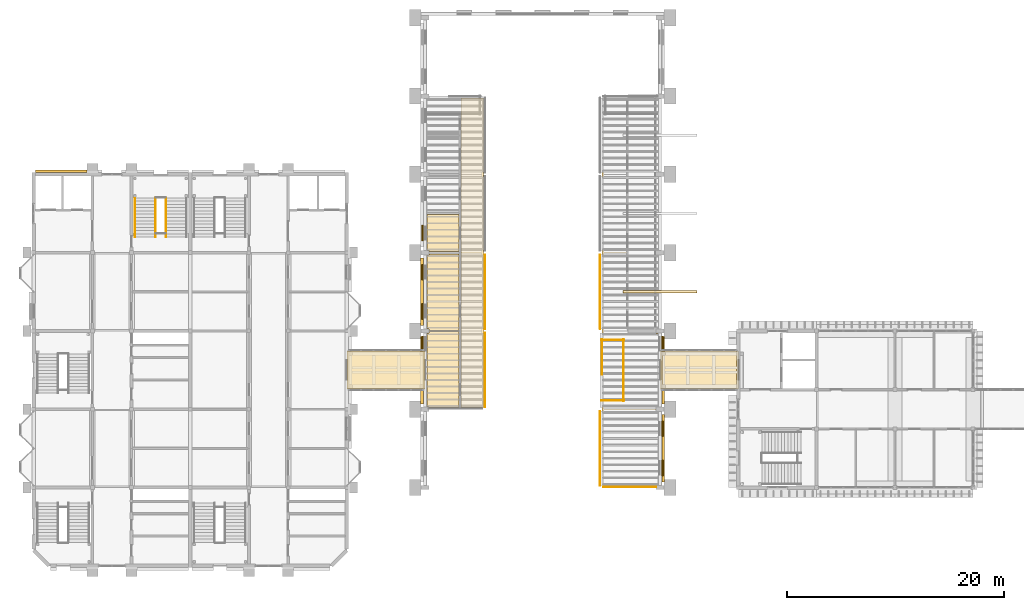
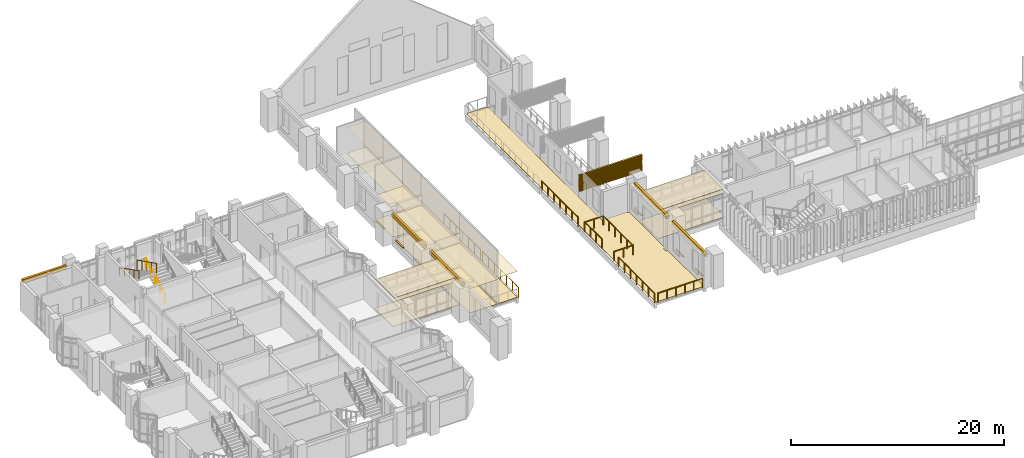
# One storey, part 60 of 69: 43 coverings, 12 railings.
"""IFC4 building model written with IfcOpenShell, lengths in metres."""

from ifc_helpers import new_model, si_unit, direction, frame, origin, origin_2d, place, context, subcontext, project, spatial, polyline, rectangle, circle, outline, extrude, material, layer, layer_set, type_object, element, save


model = new_model("IFC4")

# Units and contexts
model_context = context("Model", 3, precision=1e-05, world=origin(), true_north=direction((0.0, 1.0)))
body_context = subcontext(model_context, "Body", "Model", "MODEL_VIEW")
ifc_project = project(units=[si_unit("LENGTHUNIT", "METRE"), si_unit("AREAUNIT", "SQUARE_METRE"), si_unit("VOLUMEUNIT", "CUBIC_METRE"), si_unit("PLANEANGLEUNIT", "RADIAN"), si_unit("MASSUNIT", "GRAM", prefix="KILO")], contexts=[model_context])

# Site, building, storey
site_placement = place(None, origin())
site = spatial("IfcSite", under=ifc_project, at=site_placement, CompositionType="ELEMENT")
building_placement = place(site_placement, origin())
building = spatial("IfcBuilding", under=site, at=building_placement, Name="Mazhai Court Health Centre", CompositionType="ELEMENT")
storey_placement = place(building_placement, frame((0.0, 0.0, 6.300048828125)))
storey = spatial("IfcBuildingStorey", under=building, at=storey_placement, Name="L01", CompositionType="ELEMENT", Elevation=6.300048828125)

# Coverings
ifc_material_1 = material(Name="Clay brick masonry", Category="masonry")
ifc_layer_1 = layer(ifc_material_1, 0.25)
ifc_layer_set_1 = layer_set([ifc_layer_1], Name="BRICK BAND 250")
covering_type_1 = type_object("IfcCoveringType", Name="BRICK BAND 250", PredefinedType="MOLDING", material=ifc_layer_set_1)
covering_1_placement = place(storey_placement, frame((0.0, 0.0, 2.949951171875)))
element("IfcCovering", 1, at=covering_1_placement, inside=storey, type_object=covering_type_1, Name="EB-V2-L01-Ep0-0", PredefinedType="MOLDING", context=body_context, shape_type="SweptSolid", body=[
    extrude(outline(polyline([(6.364990234375, 42.364990234375), (11.10009765625, 42.364990234375), (11.10009765625, 42.614990234375), (6.364990234375, 42.614990234375), (6.364990234375, 42.364990234375)])), origin(), (0.0, 0.0, 1.0), 0.39990234375),
])
covering_2_placement = place(storey_placement, frame((0.0, 0.0, 3.050048828125)))
element("IfcCovering", 2, at=covering_2_placement, inside=storey, type_object=covering_type_1, Name="EB-V1-L01-W1-0", PredefinedType="MOLDING", context=body_context, shape_type="SweptSolid", body=[
    extrude(outline(polyline([(42.034912109375, 21.10009765625), (42.034912109375, 27.300048828125), (41.784912109375, 27.300048828125), (41.784912109375, 21.10009765625), (42.034912109375, 21.10009765625)])), origin(), (0.0, 0.0, 1.0), 0.39990234375),
])
covering_3_placement = place(storey_placement, frame((0.0, 0.0, 3.050048828125)))
element("IfcCovering", 3, at=covering_3_placement, inside=storey, type_object=covering_type_1, Name="EB-V1-L01-W2-0", PredefinedType="MOLDING", context=body_context, shape_type="SweptSolid", body=[
    extrude(outline(polyline([(42.034912109375, 28.300048828125), (42.034912109375, 34.5), (41.784912109375, 34.5), (41.784912109375, 28.300048828125), (42.034912109375, 28.300048828125)])), origin(), (0.0, 0.0, 1.0), 0.39990234375),
])
covering_4_placement = place(storey_placement, frame((0.0, 0.0, 3.050048828125)))
element("IfcCovering", 4, at=covering_4_placement, inside=storey, type_object=covering_type_1, Name="EB-V1-L01-E0-0", PredefinedType="MOLDING", context=body_context, shape_type="SweptSolid", body=[
    extrude(outline(polyline([(63.965087890625, 20.10009765625), (63.965087890625, 13.89990234375), (64.215087890625, 13.89990234375), (64.215087890625, 20.10009765625), (63.965087890625, 20.10009765625)])), origin(), (0.0, 0.0, 1.0), 0.39990234375),
])
covering_5_placement = place(storey_placement, frame((0.0, 0.0, 3.050048828125)))
element("IfcCovering", 5, at=covering_5_placement, inside=storey, type_object=covering_type_1, Name="EB-V1-L01-E1-0", PredefinedType="MOLDING", context=body_context, shape_type="SweptSolid", body=[
    extrude(outline(polyline([(63.965087890625, 27.300048828125), (63.965087890625, 21.10009765625), (64.215087890625, 21.10009765625), (64.215087890625, 27.300048828125), (63.965087890625, 27.300048828125)])), origin(), (0.0, 0.0, 1.0), 0.39990234375),
])
ifc_material_2 = material(Name="Clay brick masonry", Category="masonry")
ifc_layer_2 = layer(ifc_material_2, 0.14990234375)
ifc_layer_set_2 = layer_set([ifc_layer_2], Name="BRICK SILL COURSE 150")
covering_type_2 = type_object("IfcCoveringType", Name="BRICK SILL COURSE 150", PredefinedType="MOLDING", material=ifc_layer_set_2)
covering_6_placement = place(storey_placement, frame((0.0, 0.0, 0.47998046875)))
element("IfcCovering", 6, at=covering_6_placement, inside=storey, type_object=covering_type_2, Name="ES-WN-V1-L01-W1x", PredefinedType="MOLDING", context=body_context, shape_type="SweptSolid", body=[
    extrude(outline(polyline([(42.034912109375, 25.89990234375), (42.034912109375, 27.300048828125), (41.885009765625, 27.300048828125), (41.885009765625, 25.89990234375), (42.034912109375, 25.89990234375)])), origin(), (0.0, 0.0, 1.0), 0.119873046875),
])
covering_7_placement = place(storey_placement, frame((0.0, 0.0, 0.47998046875)))
element("IfcCovering", 7, at=covering_7_placement, inside=storey, type_object=covering_type_2, Name="ES-WN-V1-L01-W2a", PredefinedType="MOLDING", context=body_context, shape_type="SweptSolid", body=[
    extrude(outline(polyline([(42.034912109375, 28.89990234375), (42.034912109375, 30.300048828125), (41.885009765625, 30.300048828125), (41.885009765625, 28.89990234375), (42.034912109375, 28.89990234375)])), origin(), (0.0, 0.0, 1.0), 0.119873046875),
])
covering_8_placement = place(storey_placement, frame((0.0, 0.0, 0.47998046875)))
element("IfcCovering", 8, at=covering_8_placement, inside=storey, type_object=covering_type_2, Name="ES-WN-V1-L01-W2b", PredefinedType="MOLDING", context=body_context, shape_type="SweptSolid", body=[
    extrude(outline(polyline([(42.034912109375, 32.5), (42.034912109375, 33.89990234375), (41.885009765625, 33.89990234375), (41.885009765625, 32.5), (42.034912109375, 32.5)])), origin(), (0.0, 0.0, 1.0), 0.119873046875),
])
covering_9_placement = place(storey_placement, frame((0.0, 0.0, 0.47998046875)))
element("IfcCovering", 9, at=covering_9_placement, inside=storey, type_object=covering_type_2, Name="ES-WN-V1-L01-W3a", PredefinedType="MOLDING", context=body_context, shape_type="SweptSolid", body=[
    extrude(outline(polyline([(42.034912109375, 36.10009765625), (42.034912109375, 37.5), (41.885009765625, 37.5), (41.885009765625, 36.10009765625), (42.034912109375, 36.10009765625)])), origin(), (0.0, 0.0, 1.0), 0.119873046875),
])
covering_10_placement = place(storey_placement, frame((0.0, 0.0, 0.47998046875)))
element("IfcCovering", 10, at=covering_10_placement, inside=storey, type_object=covering_type_2, Name="ES-WN-V1-L01-E0a", PredefinedType="MOLDING", context=body_context, shape_type="SweptSolid", body=[
    extrude(outline(polyline([(63.965087890625, 15.89990234375), (63.965087890625, 14.5), (64.114990234375, 14.5), (64.114990234375, 15.89990234375), (63.965087890625, 15.89990234375)])), origin(), (0.0, 0.0, 1.0), 0.119873046875),
])
covering_11_placement = place(storey_placement, frame((0.0, 0.0, 0.47998046875)))
element("IfcCovering", 11, at=covering_11_placement, inside=storey, type_object=covering_type_2, Name="ES-WN-V1-L01-E0b", PredefinedType="MOLDING", context=body_context, shape_type="SweptSolid", body=[
    extrude(outline(polyline([(63.965087890625, 19.5), (63.965087890625, 18.10009765625), (64.114990234375, 18.10009765625), (64.114990234375, 19.5), (63.965087890625, 19.5)])), origin(), (0.0, 0.0, 1.0), 0.119873046875),
])
covering_12_placement = place(storey_placement, frame((0.0, 0.0, 0.47998046875)))
element("IfcCovering", 12, at=covering_12_placement, inside=storey, type_object=covering_type_2, Name="ES-WN-V1-L01-E1x", PredefinedType="MOLDING", context=body_context, shape_type="SweptSolid", body=[
    extrude(outline(polyline([(63.965087890625, 27.300048828125), (63.965087890625, 25.89990234375), (64.114990234375, 25.89990234375), (64.114990234375, 27.300048828125), (63.965087890625, 27.300048828125)])), origin(), (0.0, 0.0, 1.0), 0.119873046875),
])
ifc_material_3 = material(Name="Gypsum plasterboard ceiling")
ifc_layer_3 = layer(ifc_material_3, 0.02001953125)
ifc_layer_set_3 = layer_set([ifc_layer_3], Name="CEILING GYPSUM BOARD 20")
covering_type_3 = type_object("IfcCoveringType", Name="CEILING GYPSUM BOARD 20", PredefinedType="CEILING", material=ifc_layer_set_3)
covering_13_placement = place(storey_placement, frame((0.0, 0.0, 2.800048828125)))
element("IfcCovering", 13, at=covering_13_placement, inside=storey, type_object=covering_type_3, Name="ceil-V1-L01-W-patient-education-room-1", PredefinedType="CEILING", context=body_context, shape_type="SweptSolid", body=[
    extrude(outline(polyline([(42.56005859375, 27.737548828125), (42.56005859375, 27.60009765625), (42.364990234375, 27.60009765625), (42.364990234375, 20.800048828125), (42.56005859375, 20.800048828125), (42.56005859375, 20.764892578125), (45.324951171875, 20.764892578125), (45.324951171875, 27.737548828125), (42.56005859375, 27.737548828125)])), origin(), (0.0, 0.0, 1.0), 0.02001953125),
])
covering_14_placement = place(storey_placement, frame((0.0, 0.0, 2.800048828125)))
element("IfcCovering", 14, at=covering_14_placement, inside=storey, type_object=covering_type_3, Name="ceil-V1-L01-W-patient-education-room-2", PredefinedType="CEILING", context=body_context, shape_type="SweptSolid", body=[
    extrude(outline(polyline([(42.56005859375, 34.89990234375), (42.56005859375, 34.800048828125), (42.364990234375, 34.800048828125), (42.364990234375, 28.0), (42.56005859375, 28.0), (42.56005859375, 27.862548828125), (45.324951171875, 27.862548828125), (45.324951171875, 34.89990234375), (42.56005859375, 34.89990234375)])), origin(), (0.0, 0.0, 1.0), 0.02001953125),
])
covering_15_placement = place(storey_placement, frame((0.0, 0.0, 2.800048828125)))
element("IfcCovering", 15, at=covering_15_placement, inside=storey, type_object=covering_type_3, Name="ceil-V1-L01-W-counselling-room-1", PredefinedType="CEILING", context=body_context, shape_type="SweptSolid", body=[
    extrude(outline(polyline([(42.364990234375, 35.199951171875), (42.56005859375, 35.199951171875), (42.56005859375, 35.10009765625), (45.324951171875, 35.10009765625), (45.324951171875, 38.5), (42.364990234375, 38.5), (42.364990234375, 35.199951171875)])), origin(), (0.0, 0.0, 1.0), 0.02001953125),
])
ifc_material_4 = material(Name="Mineral fibre ceiling tile")
ifc_layer_4 = layer(ifc_material_4, 0.014892578125)
ifc_layer_set_4 = layer_set([ifc_layer_4], Name="CEILING MINERAL FIBRE TILE 15")
covering_type_4 = type_object("IfcCoveringType", Name="CEILING MINERAL FIBRE TILE 15", PredefinedType="CEILING", material=ifc_layer_set_4)
covering_16_placement = place(storey_placement, frame((0.0, 0.0, 3.0)))
element("IfcCovering", 16, at=covering_16_placement, inside=storey, type_object=covering_type_4, Name="ceil-V1-L01-walk", PredefinedType="CEILING", context=body_context, shape_type="SweptSolid", body=[
    extrude(outline(polyline([(45.47509765625, 49.235107421875), (45.47509765625, 20.764892578125), (47.550048828125, 20.764892578125), (47.550048828125, 49.235107421875), (45.47509765625, 49.235107421875)])), origin(), (0.0, 0.0, 1.0), 0.014892578125),
])
covering_17_placement = place(storey_placement, frame((0.0, 0.0, 2.800048828125)))
element("IfcCovering", 17, at=covering_17_placement, inside=storey, type_object=covering_type_4, Name="ceil-BR-P2", PredefinedType="CEILING", context=body_context, shape_type="SweptSolid", body=[
    extrude(outline(polyline([(63.800048828125, 22.449951171875), (63.800048828125, 25.949951171875), (71.0, 25.949951171875), (71.0, 22.449951171875), (63.800048828125, 22.449951171875)])), origin(), (0.0, 0.0, 1.0), 0.014892578125),
])
covering_18_placement = place(storey_placement, frame((0.0, 0.0, 2.800048828125)))
element("IfcCovering", 18, at=covering_18_placement, inside=storey, type_object=covering_type_4, Name="ceil-BR-P1", PredefinedType="CEILING", context=body_context, shape_type="SweptSolid", body=[
    extrude(outline(polyline([(35.0, 22.449951171875), (35.0, 25.949951171875), (42.199951171875, 25.949951171875), (42.199951171875, 22.449951171875), (35.0, 22.449951171875)])), origin(), (0.0, 0.0, 1.0), 0.014892578125),
])
ifc_material_5 = material(Name="Granite flooring", Category="masonry")
ifc_layer_5 = layer(ifc_material_5, 0.030029296875)
ifc_layer_set_5 = layer_set([ifc_layer_5], Name="FLOOR FINISH GRANITE FLOORING 30")
covering_type_5 = type_object("IfcCoveringType", Name="FLOOR FINISH GRANITE FLOORING 30", PredefinedType="FLOORING", material=ifc_layer_set_5)
covering_19_placement = place(storey_placement, origin())
element("IfcCovering", 19, at=covering_19_placement, inside=storey, type_object=covering_type_5, Name="floor-V1-L01-walk", PredefinedType="FLOORING", context=body_context, shape_type="SweptSolid", body=[
    extrude(outline(polyline([(45.47509765625, 49.235107421875), (45.47509765625, 20.764892578125), (47.550048828125, 20.764892578125), (47.550048828125, 49.235107421875), (45.47509765625, 49.235107421875)])), origin(), (0.0, 0.0, 1.0), 0.030029296875),
])
ifc_material_6 = material(Name="Heavy duty vinyl flooring")
ifc_layer_6 = layer(ifc_material_6, 0.02001953125)
ifc_layer_set_6 = layer_set([ifc_layer_6], Name="FLOOR FINISH HEAVY DUTY VINYL FLOORING 20")
covering_type_6 = type_object("IfcCoveringType", Name="FLOOR FINISH HEAVY DUTY VINYL FLOORING 20", PredefinedType="FLOORING", material=ifc_layer_set_6)
covering_20_placement = place(storey_placement, origin())
element("IfcCovering", 20, at=covering_20_placement, inside=storey, type_object=covering_type_6, Name="floor-V1-L01-W-patient-education-room-1", PredefinedType="FLOORING", context=body_context, shape_type="SweptSolid", body=[
    extrude(outline(polyline([(42.56005859375, 27.737548828125), (42.56005859375, 27.60009765625), (42.364990234375, 27.60009765625), (42.364990234375, 20.800048828125), (42.56005859375, 20.800048828125), (42.56005859375, 20.764892578125), (45.324951171875, 20.764892578125), (45.324951171875, 27.737548828125), (42.56005859375, 27.737548828125)])), origin(), (0.0, 0.0, 1.0), 0.02001953125),
])
covering_21_placement = place(storey_placement, origin())
element("IfcCovering", 21, at=covering_21_placement, inside=storey, type_object=covering_type_6, Name="floor-V1-L01-W-patient-education-room-2", PredefinedType="FLOORING", context=body_context, shape_type="SweptSolid", body=[
    extrude(outline(polyline([(42.56005859375, 34.89990234375), (42.56005859375, 34.800048828125), (42.364990234375, 34.800048828125), (42.364990234375, 28.0), (42.56005859375, 28.0), (42.56005859375, 27.862548828125), (45.324951171875, 27.862548828125), (45.324951171875, 34.89990234375), (42.56005859375, 34.89990234375)])), origin(), (0.0, 0.0, 1.0), 0.02001953125),
])
ifc_material_7 = material(Name="Linoleum flooring")
ifc_layer_7 = layer(ifc_material_7, 0.02001953125)
ifc_layer_set_7 = layer_set([ifc_layer_7], Name="FLOOR FINISH LINOLEUM FLOORING 20")
covering_type_7 = type_object("IfcCoveringType", Name="FLOOR FINISH LINOLEUM FLOORING 20", PredefinedType="FLOORING", material=ifc_layer_set_7)
covering_22_placement = place(storey_placement, origin())
element("IfcCovering", 22, at=covering_22_placement, inside=storey, type_object=covering_type_7, Name="floor-V1-L01-W-counselling-room-1", PredefinedType="FLOORING", context=body_context, shape_type="SweptSolid", body=[
    extrude(outline(polyline([(42.364990234375, 35.199951171875), (42.56005859375, 35.199951171875), (42.56005859375, 35.10009765625), (45.324951171875, 35.10009765625), (45.324951171875, 38.5), (42.364990234375, 38.5), (42.364990234375, 35.199951171875)])), origin(), (0.0, 0.0, 1.0), 0.02001953125),
])
ifc_material_8 = material(Name="Terrazzo flooring")
ifc_layer_8 = layer(ifc_material_8, 0.0400390625)
ifc_layer_set_8 = layer_set([ifc_layer_8], Name="FLOOR FINISH TERRAZZO FLOORING 40")
covering_type_8 = type_object("IfcCoveringType", Name="FLOOR FINISH TERRAZZO FLOORING 40", PredefinedType="FLOORING", material=ifc_layer_set_8)
covering_23_placement = place(storey_placement, origin())
element("IfcCovering", 23, at=covering_23_placement, inside=storey, type_object=covering_type_8, Name="floor-BR-P2", PredefinedType="FLOORING", context=body_context, shape_type="SweptSolid", body=[
    extrude(outline(polyline([(63.800048828125, 22.449951171875), (63.800048828125, 25.949951171875), (71.0, 25.949951171875), (71.0, 22.449951171875), (63.800048828125, 22.449951171875)])), origin(), (0.0, 0.0, 1.0), 0.0400390625),
])
covering_24_placement = place(storey_placement, origin())
element("IfcCovering", 24, at=covering_24_placement, inside=storey, type_object=covering_type_8, Name="floor-BR-P1", PredefinedType="FLOORING", context=body_context, shape_type="SweptSolid", body=[
    extrude(outline(polyline([(35.0, 22.449951171875), (35.0, 25.949951171875), (42.199951171875, 25.949951171875), (42.199951171875, 22.449951171875), (35.0, 22.449951171875)])), origin(), (0.0, 0.0, 1.0), 0.0400390625),
])
ifc_material_9 = material(Name="Timber flooring", Category="wood")
ifc_layer_9 = layer(ifc_material_9, 0.02197265625)
ifc_layer_set_9 = layer_set([ifc_layer_9], Name="FLOOR FINISH TIMBER FLOORING 22")
covering_type_9 = type_object("IfcCoveringType", Name="FLOOR FINISH TIMBER FLOORING 22", PredefinedType="FLOORING", material=ifc_layer_set_9)
covering_25_placement = place(storey_placement, origin())
element("IfcCovering", 25, at=covering_25_placement, inside=storey, type_object=covering_type_9, Name="floor-V1-L01-quiet", PredefinedType="FLOORING", context=body_context, shape_type="SweptSolid", body=[
    extrude(outline(polyline([(63.43994140625, 13.56494140625), (63.43994140625, 13.60009765625), (63.635009765625, 13.60009765625), (63.635009765625, 20.39990234375), (63.43994140625, 20.39990234375), (63.43994140625, 20.800048828125), (63.635009765625, 20.800048828125), (63.635009765625, 27.60009765625), (63.43994140625, 27.60009765625), (63.43994140625, 27.75), (60.800048828125, 27.75), (60.781005859375, 27.75390625), (60.7646484375, 27.7646484375), (60.75390625, 27.781005859375), (60.750244140625, 27.795166015625), (60.75, 49.235107421875), (58.449951171875, 49.235107421875), (58.449951171875, 13.56494140625), (63.43994140625, 13.56494140625)])), origin(), (0.0, 0.0, 1.0), 0.02197265625),
])

# Railings
ifc_material_10 = material(Name="Teak timber", Category="wood")
railing_type_1 = type_object("IfcRailingType", Name="GUARD GALLERY 1100", PredefinedType="GUARDRAIL", material=ifc_material_10)
for number, where, name in (
    (26, (47.699951171875, 20.7900390625, 0.0), "GR-V1-L01-L01-W1-n0"),
    (27, (47.699951171875, 27.989990234375, 0.0), "GR-V1-L01-L01-W2-n0"),
):
    element("IfcRailing", number, at=place(storey_placement, frame(where)), inside=storey, type_object=railing_type_1, Name=name, PredefinedType="GUARDRAIL", context=body_context, shape_type="SweptSolid", body=[
        extrude(circle(Radius=0.02392578125, at=origin_2d()), frame((0.0, 0.0, 1.076171875), z_axis=(0.0, 1.0, 0.0), x_axis=(-1.0, 0.0, 0.0)), (0.0, 0.0, 1.0), 6.820068359375),
        extrude(circle(Radius=0.02099609375, at=origin_2d()), origin(), (0.0, 0.0, 1.0), 1.052001953125),
        extrude(circle(Radius=0.02099609375, at=origin_2d()), frame((0.0, 1.13671875, 0.0)), (0.0, 0.0, 1.0), 1.052001953125),
        extrude(circle(Radius=0.02099609375, at=origin_2d()), frame((0.0, 2.2734375, 0.0)), (0.0, 0.0, 1.0), 1.052001953125),
        extrude(circle(Radius=0.02099609375, at=origin_2d()), frame((0.0, 3.41015625, 0.0)), (0.0, 0.0, 1.0), 1.052001953125),
        extrude(circle(Radius=0.02099609375, at=origin_2d()), frame((0.0, 4.546630859375, 0.0)), (0.0, 0.0, 1.0), 1.052001953125),
        extrude(circle(Radius=0.02099609375, at=origin_2d()), frame((0.0, 5.683349609375, 0.0)), (0.0, 0.0, 1.0), 1.052001953125),
        extrude(circle(Radius=0.02099609375, at=origin_2d()), frame((0.0, 6.820068359375, 0.0)), (0.0, 0.0, 1.0), 1.052001953125),
    ])
railing_1_placement = place(storey_placement, frame((58.300048828125, 20.409912109375, 0.0)))
element("IfcRailing", 28, at=railing_1_placement, inside=storey, type_object=railing_type_1, Name="GR-V1-L01-L01-E0-n0", PredefinedType="GUARDRAIL", context=body_context, shape_type="SweptSolid", body=[
    extrude(circle(Radius=0.02392578125, at=origin_2d()), frame((0.0, 0.0, 1.076171875), z_axis=(0.0, -1.0, 0.0), x_axis=(1.0, 0.0, 0.0)), (0.0, 0.0, 1.0), 6.81982421875),
    extrude(circle(Radius=0.02099609375, at=origin_2d()), origin(), (0.0, 0.0, 1.0), 1.052001953125),
    extrude(circle(Radius=0.02099609375, at=origin_2d()), frame((0.0, -1.13671875, 0.0)), (0.0, 0.0, 1.0), 1.052001953125),
    extrude(circle(Radius=0.02099609375, at=origin_2d()), frame((0.0, -2.273193359375, 0.0)), (0.0, 0.0, 1.0), 1.052001953125),
    extrude(circle(Radius=0.02099609375, at=origin_2d()), frame((0.0, -3.409912109375, 0.0)), (0.0, 0.0, 1.0), 1.052001953125),
    extrude(circle(Radius=0.02099609375, at=origin_2d()), frame((0.0, -4.546630859375, 0.0)), (0.0, 0.0, 1.0), 1.052001953125),
    extrude(circle(Radius=0.02099609375, at=origin_2d()), frame((0.0, -5.68310546875, 0.0)), (0.0, 0.0, 1.0), 1.052001953125),
    extrude(circle(Radius=0.02099609375, at=origin_2d()), frame((0.0, -6.81982421875, 0.0)), (0.0, 0.0, 1.0), 1.052001953125),
])
railing_2_placement = place(storey_placement, frame((58.590087890625, 13.449951171875, 0.0)))
element("IfcRailing", 29, at=railing_2_placement, inside=storey, type_object=railing_type_1, Name="GR-V1-L01-L01-E0-e134-9", PredefinedType="GUARDRAIL", context=body_context, shape_type="SweptSolid", body=[
    extrude(circle(Radius=0.02392578125, at=origin_2d()), frame((0.0, 0.0, 1.076171875), z_axis=(1.0, 0.0, 0.0), x_axis=(0.0, 1.0, 0.0)), (0.0, 0.0, 1.0), 4.83984375),
    extrude(circle(Radius=0.02099609375, at=origin_2d()), origin(), (0.0, 0.0, 1.0), 1.052001953125),
    extrude(circle(Radius=0.02099609375, at=origin_2d()), frame((0.968017578125, 0.0, 0.0)), (0.0, 0.0, 1.0), 1.052001953125),
    extrude(circle(Radius=0.02099609375, at=origin_2d()), frame((1.93603515625, 0.0, 0.0)), (0.0, 0.0, 1.0), 1.052001953125),
    extrude(circle(Radius=0.02099609375, at=origin_2d()), frame((2.90380859375, 0.0, 0.0)), (0.0, 0.0, 1.0), 1.052001953125),
    extrude(circle(Radius=0.02099609375, at=origin_2d()), frame((3.871826171875, 0.0, 0.0)), (0.0, 0.0, 1.0), 1.052001953125),
    extrude(circle(Radius=0.02099609375, at=origin_2d()), frame((4.83984375, 0.0, 0.0)), (0.0, 0.0, 1.0), 1.052001953125),
])
railing_3_placement = place(storey_placement, frame((58.300048828125, 34.81005859375, 0.0)))
element("IfcRailing", 30, at=railing_3_placement, inside=storey, type_object=railing_type_1, Name="GR-V1-L01-L01-E2-n0", PredefinedType="GUARDRAIL", context=body_context, shape_type="SweptSolid", body=[
    extrude(circle(Radius=0.02392578125, at=origin_2d()), frame((0.0, 0.0, 1.076171875), z_axis=(0.0, -1.0, 0.0), x_axis=(1.0, 0.0, 0.0)), (0.0, 0.0, 1.0), 6.820068359375),
    extrude(circle(Radius=0.02099609375, at=origin_2d()), origin(), (0.0, 0.0, 1.0), 1.052001953125),
    extrude(circle(Radius=0.02099609375, at=origin_2d()), frame((0.0, -1.13671875, 0.0)), (0.0, 0.0, 1.0), 1.052001953125),
    extrude(circle(Radius=0.02099609375, at=origin_2d()), frame((0.0, -2.2734375, 0.0)), (0.0, 0.0, 1.0), 1.052001953125),
    extrude(circle(Radius=0.02099609375, at=origin_2d()), frame((0.0, -3.41015625, 0.0)), (0.0, 0.0, 1.0), 1.052001953125),
    extrude(circle(Radius=0.02099609375, at=origin_2d()), frame((0.0, -4.546630859375, 0.0)), (0.0, 0.0, 1.0), 1.052001953125),
    extrude(circle(Radius=0.02099609375, at=origin_2d()), frame((0.0, -5.683349609375, 0.0)), (0.0, 0.0, 1.0), 1.052001953125),
    extrude(circle(Radius=0.02099609375, at=origin_2d()), frame((0.0, -6.820068359375, 0.0)), (0.0, 0.0, 1.0), 1.052001953125),
])

# Coverings
ifc_material_11 = material(Name="Aluminium louvre", Category="aluminium")
ifc_layer_10 = layer(ifc_material_11, 0.0400390625)
ifc_layer_set_10 = layer_set([ifc_layer_10], Name="LOUVRE BLADE 200x40")
covering_type_10 = type_object("IfcCoveringType", Name="LOUVRE BLADE 200x40", PredefinedType="CLADDING", material=ifc_layer_set_10)
for number, where, z_axis, x_axis, name in (
    (31, (63.800048828125, 31.39990234375, 1.280029296875), (0.0, 0.0, 1.0), (0.0, 1.0, 0.0), "LV-V1-LG2-00"),
    (32, (63.800048828125, 31.39990234375, 1.39990234375), (0.0, 0.0, 1.0), (0.0, 1.0, 0.0), "LV-V1-LG2-01"),
    (33, (63.800048828125, 31.39990234375, 1.52001953125), (0.0, 0.0, 1.0), (0.0, 1.0, 0.0), "LV-V1-LG2-02"),
    (34, (63.800048828125, 31.39990234375, 1.639892578125), (0.0, 0.0, 1.0), (0.0, 1.0, 0.0), "LV-V1-LG2-03"),
    (35, (63.800048828125, 31.39990234375, 1.760009765625), (0.0, 0.0, 1.0), (0.0, 1.0, 0.0), "LV-V1-LG2-04"),
    (36, (63.800048828125, 31.39990234375, 1.8798828125), (0.0, 0.0, 1.0), (0.0, 1.0, 0.0), "LV-V1-LG2-05"),
    (37, (63.800048828125, 31.39990234375, 2.0), (0.0, 0.0, 1.0), (0.0, 1.0, 0.0), "LV-V1-LG2-06"),
    (38, (63.800048828125, 31.39990234375, 2.119873046875), (0.0, 0.0, 1.0), (0.0, 1.0, 0.0), "LV-V1-LG2-07"),
    (39, (63.800048828125, 31.39990234375, 2.239990234375), (0.0, 0.0, 1.0), (0.0, 1.0, 0.0), "LV-V1-LG2-08"),
    (40, (63.800048828125, 31.39990234375, 2.35986328125), (0.0, 0.0, 1.0), (0.0, 1.0, 0.0), "LV-V1-LG2-09"),
    (41, (63.800048828125, 31.39990234375, 2.47998046875), (0.0, 0.0, 1.0), (0.0, 1.0, 0.0), "LV-V1-LG2-10"),
    (42, (63.800048828125, 31.39990234375, 2.599853515625), (0.0, 0.0, 1.0), (0.0, 1.0, 0.0), "LV-V1-LG2-11"),
    (43, (63.800048828125, 31.39990234375, 2.719970703125), (0.0, 0.0, 1.0), (0.0, 1.0, 0.0), "LV-V1-LG2-12"),
    (44, (63.800048828125, 31.39990234375, 2.83984375), (0.0, 0.0, 1.0), (0.0, 1.0, 0.0), "LV-V1-LG2-13"),
    (45, (63.800048828125, 31.39990234375, 2.9599609375), (0.0, 0.0, 1.0), (0.0, 1.0, 0.0), "LV-V1-LG2-14"),
    (46, (63.800048828125, 31.39990234375, 3.079833984375), (0.0, 0.0, 1.0), (0.0, 1.0, 0.0), "LV-V1-LG2-15"),
):
    element("IfcCovering", number, at=place(storey_placement, frame(where, z_axis=z_axis, x_axis=x_axis)), inside=storey, type_object=covering_type_10, Name=name, PredefinedType="CLADDING", context=body_context, shape_type="SweptSolid", body=[
        extrude(rectangle(XDim=0.199951171875, YDim=6.800048828125, at=origin_2d()), origin(), (0.0, 0.0, 1.0), 0.0400390625),
    ])
ifc_material_12 = material(Name="Single-ply roof membrane")
ifc_layer_11 = layer(ifc_material_12, 0.014892578125)
ifc_layer_set_11 = layer_set([ifc_layer_11], Name="ROOFING SINGLE-PLY ROOF MEMBRANE 15")
covering_type_11 = type_object("IfcCoveringType", Name="ROOFING SINGLE-PLY ROOF MEMBRANE 15", PredefinedType="ROOFING", material=ifc_layer_set_11)
for number, where, z_axis, x_axis, name in (
    (47, (63.97509765625, 25.97998046875, 3.300048828125), (0.0, 0.0, 1.0), (0.0, -1.0, 0.0), "cover-BR-P2-roof"),
    (48, (42.02490234375, 22.419921875, 3.300048828125), (0.0, 0.0, 1.0), (0.0, 1.0, 0.0), "cover-BR-P1-roof"),
):
    element("IfcCovering", number, at=place(storey_placement, frame(where, z_axis=z_axis, x_axis=x_axis)), inside=storey, type_object=covering_type_11, Name=name, PredefinedType="ROOFING", context=body_context, shape_type="SweptSolid", body=[
        extrude(outline(polyline([(0.0, 0.0), (1.570068359375, 0.0), (1.570068359375, 0.19482421875), (1.989990234375, 0.19482421875), (1.989990234375, 0.0), (3.56005859375, 0.0), (3.56005859375, 6.875), (0.0, 6.875), (0.0, 0.0)])), origin(), (0.0, 0.0, -1.0), 0.014892578125),
    ])

# Railings
ifc_material_13 = material(Name="Steel IS 2062 E250", Category="steel")
railing_type_2 = type_object("IfcRailingType", Name="STAIR GUARD 1100", PredefinedType="GUARDRAIL", material=ifc_material_13)
railing_4_placement = place(storey_placement, frame((18.35498046875, 36.43505859375, 0.14990234375)))
element("IfcRailing", 49, at=railing_4_placement, inside=storey, type_object=railing_type_2, Name="L01 ST3 stair guard 1", PredefinedType="GUARDRAIL", context=body_context, shape_type="SweptSolid", body=[
    extrude(circle(Radius=0.02392578125, at=origin_2d()), frame((0.0, 0.0, 1.076171875), z_axis=(0.0, 0.894415058897, 0.447237858884), x_axis=(-1.0, 0.0, 0.0)), (0.0, 0.0, 1.0), 4.02490234375),
    extrude(circle(Radius=0.02099609375, at=origin_2d()), origin(), (0.0, 0.0, 1.0), 1.052001953125),
    extrude(circle(Radius=0.02099609375, at=origin_2d()), frame((0.0, 0.89990234375, 0.449951171875)), (0.0, 0.0, 1.0), 1.052001953125),
    extrude(circle(Radius=0.02099609375, at=origin_2d()), frame((0.0, 1.7998046875, 0.89990234375)), (0.0, 0.0, 1.0), 1.052001953125),
    extrude(circle(Radius=0.02099609375, at=origin_2d()), frame((0.0, 2.699951171875, 1.35009765625)), (0.0, 0.0, 1.0), 1.052001953125),
    extrude(circle(Radius=0.02099609375, at=origin_2d()), frame((0.0, 3.599853515625, 1.800048828125)), (0.0, 0.0, 1.0), 1.052001953125),
])
railing_5_placement = place(storey_placement, frame((17.405029296875, 40.034912109375, 2.099853515625)))
element("IfcRailing", 50, at=railing_5_placement, inside=storey, type_object=railing_type_2, Name="L01 ST3 stair guard 3", PredefinedType="GUARDRAIL", context=body_context, shape_type="SweptSolid", body=[
    extrude(circle(Radius=0.02392578125, at=origin_2d()), frame((0.0, 0.0, 1.076171875), z_axis=(0.0, -0.894415058897, 0.447237858884), x_axis=(1.0, 0.0, 0.0)), (0.0, 0.0, 1.0), 4.02490234375),
    extrude(circle(Radius=0.02099609375, at=origin_2d()), origin(), (0.0, 0.0, 1.0), 1.052001953125),
    extrude(circle(Radius=0.02099609375, at=origin_2d()), frame((0.0, -0.89990234375, 0.449951171875)), (0.0, 0.0, 1.0), 1.052001953125),
    extrude(circle(Radius=0.02099609375, at=origin_2d()), frame((0.0, -1.7998046875, 0.89990234375)), (0.0, 0.0, 1.0), 1.052001953125),
    extrude(circle(Radius=0.02099609375, at=origin_2d()), frame((0.0, -2.699951171875, 1.35009765625)), (0.0, 0.0, 1.0), 1.052001953125),
    extrude(circle(Radius=0.02099609375, at=origin_2d()), frame((0.0, -3.599853515625, 1.800048828125)), (0.0, 0.0, 1.0), 1.052001953125),
])
railing_6_placement = place(storey_placement, frame((58.449951171875, 27.02490234375, 0.0)))
element("IfcRailing", 51, at=railing_6_placement, inside=storey, type_object=railing_type_2, Name="L01 ST13 top well guard 1", PredefinedType="GUARDRAIL", context=body_context, shape_type="SweptSolid", body=[
    extrude(circle(Radius=0.02392578125, at=origin_2d()), frame((0.0, 0.0, 1.076171875), z_axis=(0.0, -1.0, 0.0), x_axis=(1.0, 0.0, 0.0)), (0.0, 0.0, 1.0), 3.25),
    extrude(circle(Radius=0.02099609375, at=origin_2d()), origin(), (0.0, 0.0, 1.0), 1.052001953125),
    extrude(circle(Radius=0.02099609375, at=origin_2d()), frame((0.0, -1.083251953125, 0.0)), (0.0, 0.0, 1.0), 1.052001953125),
    extrude(circle(Radius=0.02099609375, at=origin_2d()), frame((0.0, -2.166748046875, 0.0)), (0.0, 0.0, 1.0), 1.052001953125),
    extrude(circle(Radius=0.02099609375, at=origin_2d()), frame((0.0, -3.25, 0.0)), (0.0, 0.0, 1.0), 1.052001953125),
])
for number, where, name in (
    (52, (60.5, 26.97509765625, 0.0), "L01 ST13 top well guard 2"),
    (53, (60.5, 21.425048828125, 0.0), "L01 ST13 top well guard 3"),
):
    element("IfcRailing", number, at=place(storey_placement, frame(where)), inside=storey, type_object=railing_type_2, Name=name, PredefinedType="GUARDRAIL", context=body_context, shape_type="SweptSolid", body=[
        extrude(circle(Radius=0.02392578125, at=origin_2d()), frame((0.0, 0.0, 1.076171875), z_axis=(-1.0, 0.0, 0.0), x_axis=(0.0, -1.0, 0.0)), (0.0, 0.0, 1.0), 2.10009765625),
        extrude(circle(Radius=0.02099609375, at=origin_2d()), origin(), (0.0, 0.0, 1.0), 1.052001953125),
        extrude(circle(Radius=0.02099609375, at=origin_2d()), frame((-1.050048828125, 0.0, 0.0)), (0.0, 0.0, 1.0), 1.052001953125),
        extrude(circle(Radius=0.02099609375, at=origin_2d()), frame((-2.10009765625, 0.0, 0.0)), (0.0, 0.0, 1.0), 1.052001953125),
    ])
railing_7_placement = place(storey_placement, frame((60.449951171875, 27.02490234375, 0.0)))
element("IfcRailing", 54, at=railing_7_placement, inside=storey, type_object=railing_type_2, Name="L01 ST13 top well guard 4", PredefinedType="GUARDRAIL", context=body_context, shape_type="SweptSolid", body=[
    extrude(circle(Radius=0.02392578125, at=origin_2d()), frame((0.0, 0.0, 1.076171875), z_axis=(0.0, -1.0, 0.0), x_axis=(1.0, 0.0, 0.0)), (0.0, 0.0, 1.0), 5.64990234375),
    extrude(circle(Radius=0.02099609375, at=origin_2d()), origin(), (0.0, 0.0, 1.0), 1.052001953125),
    extrude(circle(Radius=0.02099609375, at=origin_2d()), frame((0.0, -1.1298828125, 0.0)), (0.0, 0.0, 1.0), 1.052001953125),
    extrude(circle(Radius=0.02099609375, at=origin_2d()), frame((0.0, -2.260009765625, 0.0)), (0.0, 0.0, 1.0), 1.052001953125),
    extrude(circle(Radius=0.02099609375, at=origin_2d()), frame((0.0, -3.389892578125, 0.0)), (0.0, 0.0, 1.0), 1.052001953125),
    extrude(circle(Radius=0.02099609375, at=origin_2d()), frame((0.0, -4.52001953125, 0.0)), (0.0, 0.0, 1.0), 1.052001953125),
    extrude(circle(Radius=0.02099609375, at=origin_2d()), frame((0.0, -5.64990234375, 0.0)), (0.0, 0.0, 1.0), 1.052001953125),
])
ifc_material_14 = material(Name="Steel IS 2062 E250", Category="steel")
railing_type_3 = type_object("IfcRailingType", Name="STAIR HANDRAIL 900", PredefinedType="HANDRAIL", material=ifc_material_14)
railing_8_placement = place(storey_placement, frame((15.5048828125, 40.034912109375, 2.099853515625)))
element("IfcRailing", 55, at=railing_8_placement, inside=storey, type_object=railing_type_3, Name="L01 ST3 stair handrail 2", PredefinedType="HANDRAIL", context=body_context, shape_type="SweptSolid", body=[
    extrude(circle(Radius=0.02392578125, at=origin_2d()), frame((0.0, 0.0, 0.8759765625), z_axis=(0.0, -0.894415058897, 0.447237858884), x_axis=(1.0, 0.0, 0.0)), (0.0, 0.0, 1.0), 4.02490234375),
    extrude(circle(Radius=0.02099609375, at=origin_2d()), origin(), (0.0, 0.0, 1.0), 0.851806640625),
    extrude(circle(Radius=0.02099609375, at=origin_2d()), frame((0.0, -0.89990234375, 0.449951171875)), (0.0, 0.0, 1.0), 0.851806640625),
    extrude(circle(Radius=0.02099609375, at=origin_2d()), frame((0.0, -1.7998046875, 0.89990234375)), (0.0, 0.0, 1.0), 0.851806640625),
    extrude(circle(Radius=0.02099609375, at=origin_2d()), frame((0.0, -2.699951171875, 1.35009765625)), (0.0, 0.0, 1.0), 0.851806640625),
    extrude(circle(Radius=0.02099609375, at=origin_2d()), frame((0.0, -3.599853515625, 1.800048828125)), (0.0, 0.0, 1.0), 0.851806640625),
])

save(model, "model.ifc")
